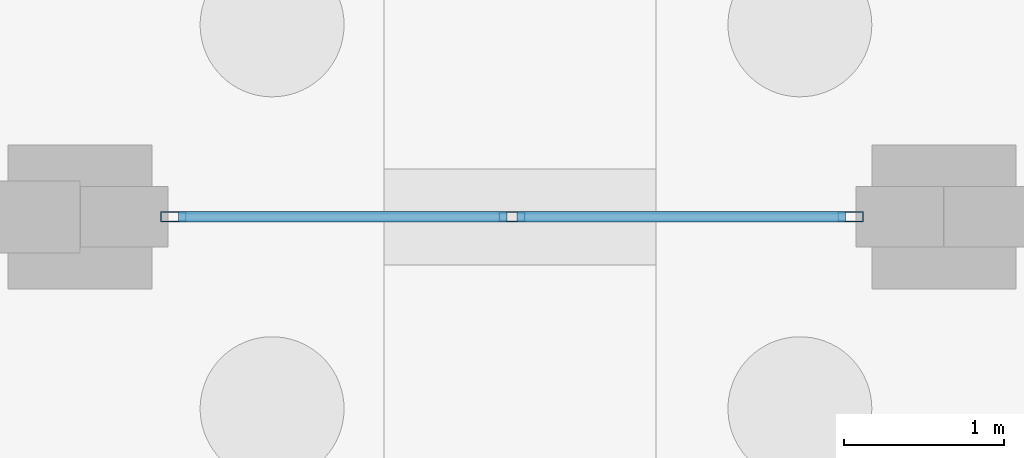
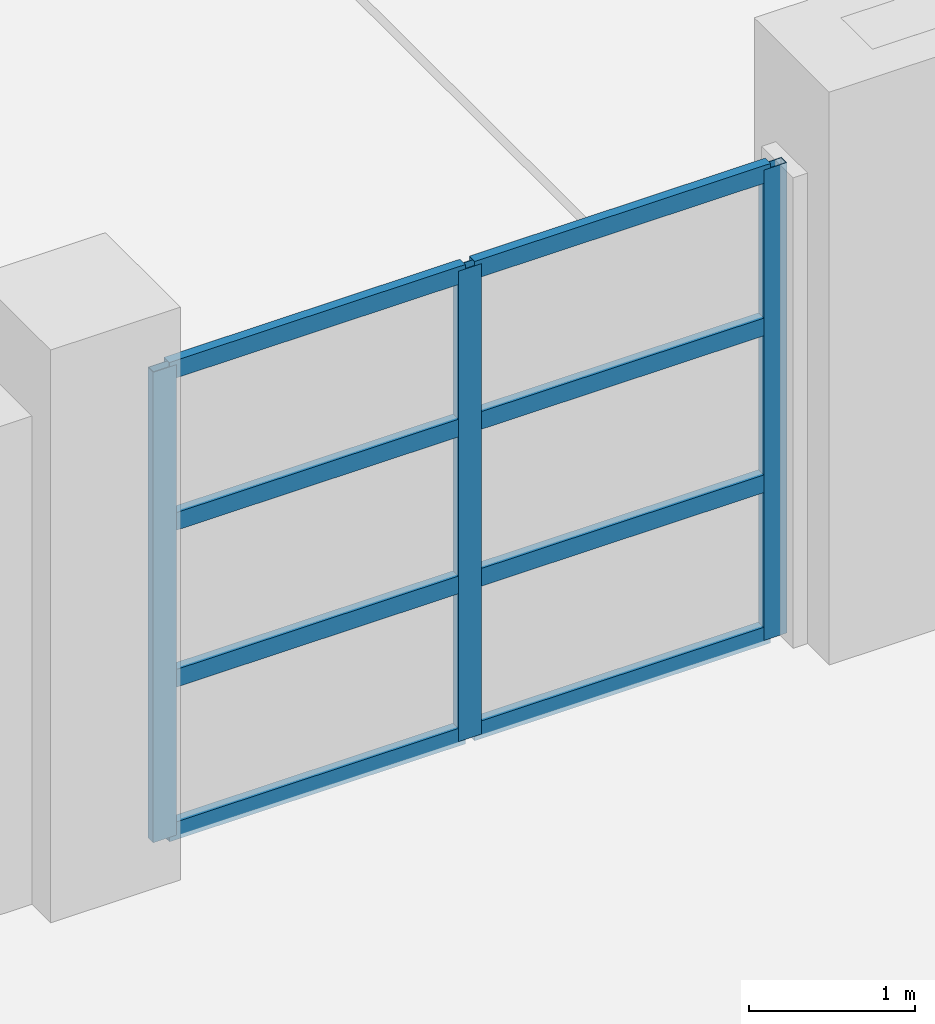
# One storey, part 42 of 77: 11 members, 1 element without a shape of its own.
"""IFC4 building model written with IfcOpenShell, lengths in metres."""

import ifcopenshell
import ifcopenshell.guid

model = None  # the IFC model being written
_history = None  # IfcOwnerHistory: only IFC2X3 demands one
_inside = {}  # id of a spatial element -> (the spatial element, [elements in it])
_under = {}  # id of a project, library or spatial element -> (it, [spatial elements below it])
_declared = {}  # id of a project -> (the project, [libraries it declares])
_typed = {}  # id of a type object -> (the type object, [elements of that type])
_made_of = {}  # id of a material, layer set ... -> (it, [elements and type objects made of it])


def new_model(schema):
    """Start an empty IFC model of exactly this schema.

    Asked for "IFC4X3", IfcOpenShell would pick the latest addendum, in which some entities
    have other attributes; the version numbers below select the first issue.
    IFC2X3 requires an IfcOwnerHistory on every rooted entity: one is made here for all.
    """
    global model, _history
    if schema == "IFC4X3":
        model = ifcopenshell.file(schema_version=(4, 3, 0, 0))
    else:
        model = ifcopenshell.file(schema=schema)
    _inside.clear()
    _under.clear()
    _declared.clear()
    _typed.clear()
    _made_of.clear()
    _history = None
    if model.schema == "IFC2X3":
        org = make("IfcOrganization", Name="unknown")
        user = make(
            "IfcPersonAndOrganization",
            ThePerson=make("IfcPerson", FamilyName="unknown"),
            TheOrganization=org,
        )
        app = make(
            "IfcApplication",
            ApplicationDeveloper=org,
            Version="unknown",
            ApplicationFullName="unknown",
            ApplicationIdentifier="unknown",
        )
        _history = make(
            "IfcOwnerHistory",
            OwningUser=user,
            OwningApplication=app,
            ChangeAction="ADDED",
            CreationDate=0,
        )
    return model


def make(cls, **values):
    """One entity of the class cls with the attributes given. An attribute that is None is left unset."""
    return model.create_entity(
        cls, **{name: value for name, value in values.items() if value is not None}
    )


def rooted(cls, **values):
    """An entity with a GlobalId (a new one), such as an element, a storey or a relation."""
    return make(cls, GlobalId=ifcopenshell.guid.new(), OwnerHistory=_history, **values)


def si_unit(unit_type, name, prefix=None):
    """IfcSIUnit, for example si_unit("LENGTHUNIT", "METRE", prefix="MILLI")."""
    return make("IfcSIUnit", UnitType=unit_type, Prefix=prefix, Name=name)


def assignment(units):
    """IfcUnitAssignment: the units of a project."""
    return None if units is None else make("IfcUnitAssignment", Units=units)


def point(xyz):
    """IfcCartesianPoint."""
    return None if xyz is None else make("IfcCartesianPoint", Coordinates=xyz)


def direction(xyz):
    """IfcDirection."""
    return None if xyz is None else make("IfcDirection", DirectionRatios=xyz)


def frame(location, z_axis=None, x_axis=None):
    """IfcAxis2Placement3D, a coordinate frame: its origin and axes. An axis left out is left unset."""
    return make(
        "IfcAxis2Placement3D",
        Location=point(location),
        Axis=direction(z_axis),
        RefDirection=direction(x_axis),
    )


def frame_2d(location, x_axis=None):
    """IfcAxis2Placement2D, a coordinate frame in the plane: its origin and x axis."""
    return make(
        "IfcAxis2Placement2D", Location=point(location), RefDirection=direction(x_axis)
    )


def origin():
    """The frame at (0, 0, 0) with its axes left unset."""
    return frame((0.0, 0.0, 0.0))


def origin_2d():
    """The frame at (0, 0) in the plane with its x axis left unset."""
    return frame_2d((0.0, 0.0))


def place(relative_to, where):
    """IfcLocalPlacement: puts the frame where relative to a parent placement (None: the world)."""
    return make(
        "IfcLocalPlacement", PlacementRelTo=relative_to, RelativePlacement=where
    )


def context(
    kind, dimensions, precision=None, world=None, true_north=None, identifier=None
):
    """IfcGeometricRepresentationContext, for example the 3D "Model" context."""
    return make(
        "IfcGeometricRepresentationContext",
        ContextIdentifier=identifier,
        ContextType=kind,
        CoordinateSpaceDimension=dimensions,
        Precision=precision,
        WorldCoordinateSystem=world,
        TrueNorth=true_north,
    )


def subcontext(parent, identifier, kind, view, scale=None):
    """IfcGeometricRepresentationSubContext, for example "Body" below "Model"."""
    return make(
        "IfcGeometricRepresentationSubContext",
        ContextIdentifier=identifier,
        ContextType=kind,
        ParentContext=parent,
        TargetScale=scale,
        TargetView=view,
    )


def project(units=None, contexts=None):
    """IfcProject with its units and contexts."""
    return rooted(
        "IfcProject",
        Name="project",
        RepresentationContexts=contexts,
        UnitsInContext=assignment(units),
    )


def spatial(cls, under=None, at=None, **own):
    """A site, building, storey or space (cls), placed at a placement, below another one or the project."""
    s = rooted(cls, ObjectPlacement=at, **own)
    if under is not None:
        _under.setdefault(under.id(), (under, []))[1].append(s)
    return s


def profile(cls, at=None, kind="AREA", **sizes):
    """A parametric profile (cls). Its sizes go by their IFC names, for example OverallWidth=200.0."""
    return make(cls, ProfileType=kind, Position=at, **sizes)


def hollow_rectangle(**sizes):
    """IfcRectangleHollowProfileDef."""
    return profile("IfcRectangleHollowProfileDef", **sizes)


def extrude(swept, where, along, depth):
    """IfcExtrudedAreaSolid: the profile swept, set in the frame where, extruded along a direction by depth."""
    return make(
        "IfcExtrudedAreaSolid",
        SweptArea=swept,
        Position=where,
        ExtrudedDirection=direction(along),
        Depth=depth,
    )


def shape(context_of_items, identifier, shape_type, items):
    """IfcShapeRepresentation: the items that make up one representation, for example the "Body"."""
    return make(
        "IfcShapeRepresentation",
        ContextOfItems=context_of_items,
        RepresentationIdentifier=identifier,
        RepresentationType=shape_type,
        Items=items,
    )


def material(Name=None, Category=None):
    """IfcMaterial."""
    return make("IfcMaterial", Name=Name, Category=Category)


def layer(
    of_material, thickness, ventilated=None, Name=None, Category=None, Priority=None
):
    """IfcMaterialLayer: one layer of a wall or slab, of a material (None: an air gap)."""
    return make(
        "IfcMaterialLayer",
        Material=of_material,
        LayerThickness=thickness,
        IsVentilated=ventilated,
        Name=Name,
        Category=Category,
        Priority=Priority,
    )


def layer_set(layers, Name=None):
    """IfcMaterialLayerSet."""
    return make("IfcMaterialLayerSet", MaterialLayers=layers, LayerSetName=Name)


def material_profile(
    of_material, cross_section, Name=None, Category=None, Priority=None
):
    """IfcMaterialProfile: a cross section and its material."""
    return make(
        "IfcMaterialProfile",
        Name=Name,
        Material=of_material,
        Profile=cross_section,
        Priority=Priority,
        Category=Category,
    )


def profile_set(profiles, Name=None, composite=None):
    """IfcMaterialProfileSet."""
    return make(
        "IfcMaterialProfileSet",
        Name=Name,
        MaterialProfiles=profiles,
        CompositeProfile=composite,
    )


def made_of(thing, what):
    """Note that an element or type object is made of a material, layer set ...; save() writes the relation."""
    if what is not None:
        _made_of.setdefault(what.id(), (what, []))[1].append(thing)
    return thing


def type_object(cls, material=None, **own):
    """A type object (cls), such as IfcWallType, which elements share."""
    return made_of(rooted(cls, **own), material)


def element(
    cls,
    number,
    at=None,
    inside=None,
    cuts=None,
    type_object=None,
    material=None,
    context=None,
    identifier="Body",
    shape_type=None,
    held_by="IfcProductDefinitionShape",
    body=None,
    shapes=None,
    **own,
):
    """One element of the class cls, such as IfcWall. Its Tag is "e" and its number.

    at: its placement. inside: the storey or other place that contains it. cuts: it is an
    opening in that element (IfcRelVoidsElement). A single representation is given by context,
    identifier, shape_type and body (its items); several are given by shapes. held_by: the class
    of the entity that holds the representations. save() writes the other relations.
    """
    e = rooted(cls, Tag="e%d" % number, ObjectPlacement=at, **own)
    if body is not None:
        shapes = [shape(context, identifier, shape_type, body)]
    if shapes is not None:
        e.Representation = make(held_by, Representations=shapes)
    if inside is not None:
        _inside.setdefault(inside.id(), (inside, []))[1].append(e)
    if cuts is not None:
        rooted(
            "IfcRelVoidsElement", RelatingBuildingElement=cuts, RelatedOpeningElement=e
        )
    if type_object is not None:
        _typed.setdefault(type_object.id(), (type_object, []))[1].append(e)
    return made_of(e, material)


def aggregate(whole, parts):
    """IfcRelAggregates: a whole, such as a stair, and the parts it consists of."""
    return rooted("IfcRelAggregates", RelatingObject=whole, RelatedObjects=parts)


def save(model, path):
    """Write the relations noted so far, then the file.

    IfcRelAggregates (storeys below a building ...), IfcRelContainedInSpatialStructure (elements
    in a storey), IfcRelDefinesByType, IfcRelAssociatesMaterial and IfcRelDeclares: one each for
    every whole, place, type object, material and project.
    """
    for whole, parts in _under.values():
        aggregate(whole, parts)
    for where, things in _inside.values():
        rooted(
            "IfcRelContainedInSpatialStructure",
            RelatedElements=things,
            RelatingStructure=where,
        )
    for kind, things in _typed.values():
        rooted("IfcRelDefinesByType", RelatedObjects=things, RelatingType=kind)
    for what, things in _made_of.values():
        rooted("IfcRelAssociatesMaterial", RelatedObjects=things, RelatingMaterial=what)
    for by, libraries in _declared.values():
        rooted("IfcRelDeclares", RelatingContext=by, RelatedDefinitions=libraries)
    model.write(path)


model = new_model("IFC4")

# Units and contexts
model_context = context("Model", 3, precision=1e-05, world=origin(), true_north=direction((0.0, 1.0)))
body_context = subcontext(model_context, "Body", "Model", "MODEL_VIEW")
ifc_project = project(units=[si_unit("LENGTHUNIT", "METRE"), si_unit("AREAUNIT", "SQUARE_METRE"), si_unit("VOLUMEUNIT", "CUBIC_METRE"), si_unit("PLANEANGLEUNIT", "RADIAN"), si_unit("MASSUNIT", "GRAM", prefix="KILO")], contexts=[model_context])

# Site, building, storey
site_placement = place(None, origin())
site = spatial("IfcSite", under=ifc_project, at=site_placement, CompositionType="ELEMENT")
building_placement = place(site_placement, origin())
building = spatial("IfcBuilding", under=site, at=building_placement, Name="Zilviju Railside Exhibition Hall", CompositionType="ELEMENT")
storey_placement = place(building_placement, origin())
storey = spatial("IfcBuildingStorey", under=building, at=storey_placement, Name="L01", CompositionType="ELEMENT", Elevation=0.0)

# Curtain wall, members
ifc_material_1 = material(Name="Thermally broken aluminium-steel triple-glazed curtain wall", Category="steel")
ifc_layer = layer(ifc_material_1, 0.179931640625)
ifc_layer_set = layer_set([ifc_layer], Name="Thermally broken aluminium-steel triple-glazed curtain wall")
curtain_wall_type = type_object("IfcCurtainWallType", Name="CW-BAY-02", PredefinedType="USERDEFINED", material=ifc_layer_set)
curtain_wall_placement = place(storey_placement, origin())
curtain_wall = element("IfcCurtainWall", 1, at=curtain_wall_placement, inside=storey, type_object=curtain_wall_type, Name="North Hall Garden Court Curtain Wall L01 (168..173)", ObjectType="GLAZED CURTAIN WALL", PredefinedType="USERDEFINED")
ifc_material_2 = material(Name="Thermally broken anodized aluminium mullion", Category="aluminium")
ifc_material_profile_1 = material_profile(ifc_material_2, hollow_rectangle(XDim=0.06494140625, YDim=0.159912109375, WallThickness=0.0048828125, at=origin_2d()), Name="MULLION 160x65x5")
ifc_profile_set_1 = profile_set([ifc_material_profile_1], Name="Thermally broken anodized aluminium mullion")
member_type_1 = type_object("IfcMemberType", Name="CWM-65x160", PredefinedType="MULLION", material=ifc_profile_set_1)
member_1_placement = place(storey_placement, frame((172.8173828125, 84.0, 0.0), z_axis=(0.0, 0.0, 1.0), x_axis=(0.0, -1.0, 0.0)))
member_1 = element("IfcMember", 2, at=member_1_placement, type_object=member_type_1, Name="CW-02 mullion 1", PredefinedType="MULLION", context=body_context, shape_type="SweptSolid", body=[
    extrude(hollow_rectangle(XDim=0.06494140625, YDim=0.159912109375, WallThickness=0.0048828125, at=origin_2d()), origin(), (0.0, 0.0, 1.0), 3.449951171875),
])
member_2_placement = place(storey_placement, frame((170.699951171875, 84.0, 0.0), z_axis=(0.0, 0.0, 1.0), x_axis=(0.0, -1.0, 0.0)))
member_2 = element("IfcMember", 3, at=member_2_placement, type_object=member_type_1, Name="CW-02 mullion 2", PredefinedType="MULLION", context=body_context, shape_type="SweptSolid", body=[
    extrude(hollow_rectangle(XDim=0.06494140625, YDim=0.159912109375, WallThickness=0.0048828125, at=origin_2d()), origin(), (0.0, 0.0, 1.0), 3.449951171875),
])
member_3_placement = place(storey_placement, frame((168.58251953125, 84.0, 0.0), z_axis=(0.0, 0.0, 1.0), x_axis=(0.0, -1.0, 0.0)))
member_3 = element("IfcMember", 4, at=member_3_placement, type_object=member_type_1, Name="CW-02 mullion 3", PredefinedType="MULLION", context=body_context, shape_type="SweptSolid", body=[
    extrude(hollow_rectangle(XDim=0.06494140625, YDim=0.159912109375, WallThickness=0.0048828125, at=origin_2d()), origin(), (0.0, 0.0, 1.0), 3.449951171875),
])
ifc_material_3 = material(Name="Thermally broken anodized aluminium transom", Category="aluminium")
ifc_material_profile_2 = material_profile(ifc_material_3, hollow_rectangle(XDim=0.06494140625, YDim=0.1298828125, WallThickness=0.0048828125, at=origin_2d()), Name="TRANSOM 130x65x5")
ifc_profile_set_2 = profile_set([ifc_material_profile_2], Name="Thermally broken anodized aluminium transom")
member_type_2 = type_object("IfcMemberType", Name="CWT-65x130", PredefinedType="USERDEFINED", material=ifc_profile_set_2)
member_4_placement = place(storey_placement, frame((172.784912109375, 84.0, 0.032470703125), z_axis=(-1.0, 0.0, 0.0), x_axis=(0.0, -1.0, 0.0)))
member_4 = element("IfcMember", 5, at=member_4_placement, type_object=member_type_2, Name="CW-02 transom 1.1", ObjectType="TRANSOM", PredefinedType="USERDEFINED", context=body_context, shape_type="SweptSolid", body=[
    extrude(hollow_rectangle(XDim=0.06494140625, YDim=0.1298828125, WallThickness=0.0048828125, at=origin_2d()), origin(), (0.0, 0.0, 1.0), 2.052490234375),
])
member_5_placement = place(storey_placement, frame((172.784912109375, 84.0, 1.14990234375), z_axis=(-1.0, 0.0, 0.0), x_axis=(0.0, -1.0, 0.0)))
member_5 = element("IfcMember", 6, at=member_5_placement, type_object=member_type_2, Name="CW-02 transom 1.2", ObjectType="TRANSOM", PredefinedType="USERDEFINED", context=body_context, shape_type="SweptSolid", body=[
    extrude(hollow_rectangle(XDim=0.06494140625, YDim=0.1298828125, WallThickness=0.0048828125, at=origin_2d()), origin(), (0.0, 0.0, 1.0), 2.052490234375),
])
member_6_placement = place(storey_placement, frame((172.784912109375, 84.0, 2.300048828125), z_axis=(-1.0, 0.0, 0.0), x_axis=(0.0, -1.0, 0.0)))
member_6 = element("IfcMember", 7, at=member_6_placement, type_object=member_type_2, Name="CW-02 transom 1.3", ObjectType="TRANSOM", PredefinedType="USERDEFINED", context=body_context, shape_type="SweptSolid", body=[
    extrude(hollow_rectangle(XDim=0.06494140625, YDim=0.1298828125, WallThickness=0.0048828125, at=origin_2d()), origin(), (0.0, 0.0, 1.0), 2.052490234375),
])
member_7_placement = place(storey_placement, frame((172.784912109375, 84.0, 3.41748046875), z_axis=(-1.0, 0.0, 0.0), x_axis=(0.0, -1.0, 0.0)))
member_7 = element("IfcMember", 8, at=member_7_placement, type_object=member_type_2, Name="CW-02 transom 1.4", ObjectType="TRANSOM", PredefinedType="USERDEFINED", context=body_context, shape_type="SweptSolid", body=[
    extrude(hollow_rectangle(XDim=0.06494140625, YDim=0.1298828125, WallThickness=0.0048828125, at=origin_2d()), origin(), (0.0, 0.0, 1.0), 2.052490234375),
])
member_8_placement = place(storey_placement, frame((170.66748046875, 84.0, 0.032470703125), z_axis=(-1.0, 0.0, 0.0), x_axis=(0.0, -1.0, 0.0)))
member_8 = element("IfcMember", 9, at=member_8_placement, type_object=member_type_2, Name="CW-02 transom 2.1", ObjectType="TRANSOM", PredefinedType="USERDEFINED", context=body_context, shape_type="SweptSolid", body=[
    extrude(hollow_rectangle(XDim=0.06494140625, YDim=0.1298828125, WallThickness=0.0048828125, at=origin_2d()), origin(), (0.0, 0.0, 1.0), 2.052490234375),
])
member_9_placement = place(storey_placement, frame((170.66748046875, 84.0, 1.14990234375), z_axis=(-1.0, 0.0, 0.0), x_axis=(0.0, -1.0, 0.0)))
member_9 = element("IfcMember", 10, at=member_9_placement, type_object=member_type_2, Name="CW-02 transom 2.2", ObjectType="TRANSOM", PredefinedType="USERDEFINED", context=body_context, shape_type="SweptSolid", body=[
    extrude(hollow_rectangle(XDim=0.06494140625, YDim=0.1298828125, WallThickness=0.0048828125, at=origin_2d()), origin(), (0.0, 0.0, 1.0), 2.052490234375),
])
member_10_placement = place(storey_placement, frame((170.66748046875, 84.0, 2.300048828125), z_axis=(-1.0, 0.0, 0.0), x_axis=(0.0, -1.0, 0.0)))
member_10 = element("IfcMember", 11, at=member_10_placement, type_object=member_type_2, Name="CW-02 transom 2.3", ObjectType="TRANSOM", PredefinedType="USERDEFINED", context=body_context, shape_type="SweptSolid", body=[
    extrude(hollow_rectangle(XDim=0.06494140625, YDim=0.1298828125, WallThickness=0.0048828125, at=origin_2d()), origin(), (0.0, 0.0, 1.0), 2.052490234375),
])
member_11_placement = place(storey_placement, frame((170.66748046875, 84.0, 3.41748046875), z_axis=(-1.0, 0.0, 0.0), x_axis=(0.0, -1.0, 0.0)))
member_11 = element("IfcMember", 12, at=member_11_placement, type_object=member_type_2, Name="CW-02 transom 2.4", ObjectType="TRANSOM", PredefinedType="USERDEFINED", context=body_context, shape_type="SweptSolid", body=[
    extrude(hollow_rectangle(XDim=0.06494140625, YDim=0.1298828125, WallThickness=0.0048828125, at=origin_2d()), origin(), (0.0, 0.0, 1.0), 2.052490234375),
])
aggregate(curtain_wall, [member_1, member_2, member_3, member_4, member_5, member_6, member_7, member_8, member_9, member_10, member_11])

save(model, "model.ifc")
